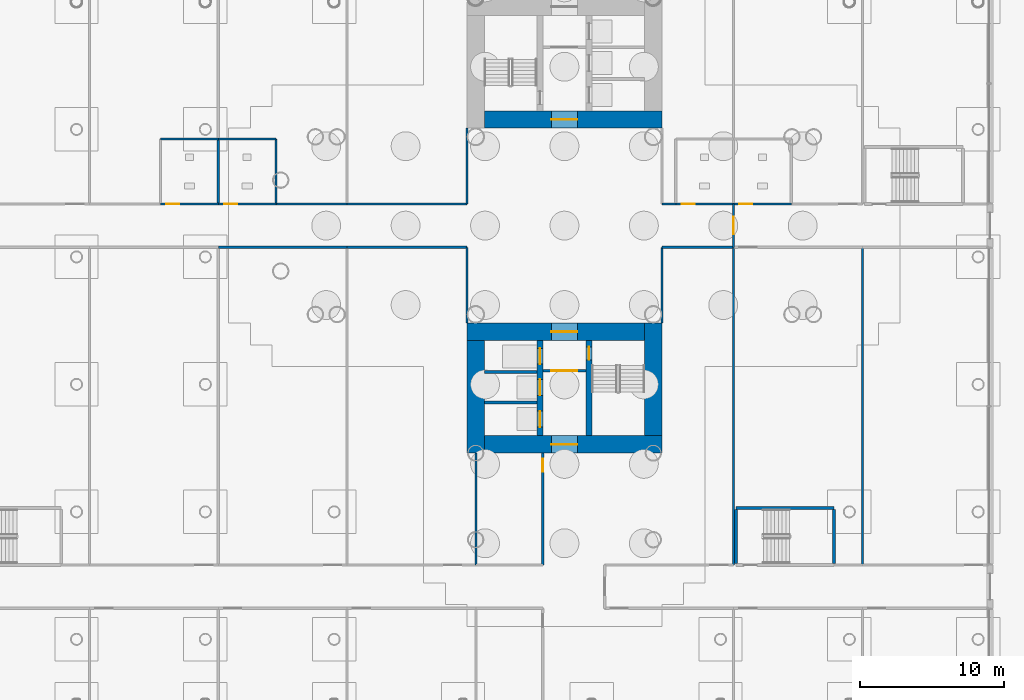
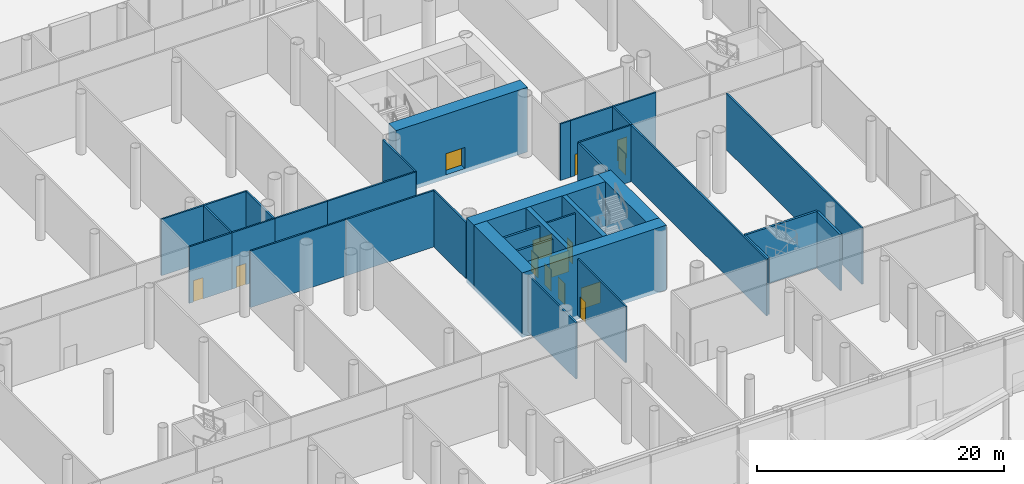
# One storey, part 32 of 75: 35 walls, 14 doors, 14 openings.
"""IFC4 building model written with IfcOpenShell, lengths in metres."""

from ifc_helpers import new_model, si_unit, direction, frame, frame_2d, origin, place, context, subcontext, project, spatial, rectangle, extrude, material, layer, layer_set, type_object, element, fill, save


model = new_model("IFC4")

# Units and contexts
model_context = context("Model", 3, precision=1e-05, world=origin(), true_north=direction((0.0, 1.0)))
body_context = subcontext(model_context, "Body", "Model", "MODEL_VIEW")
ifc_project = project(units=[si_unit("LENGTHUNIT", "METRE"), si_unit("AREAUNIT", "SQUARE_METRE"), si_unit("VOLUMEUNIT", "CUBIC_METRE"), si_unit("PLANEANGLEUNIT", "RADIAN"), si_unit("MASSUNIT", "GRAM", prefix="KILO")], contexts=[model_context])

# Site, building, storey
site_placement = place(None, origin())
site = spatial("IfcSite", under=ifc_project, at=site_placement, CompositionType="ELEMENT")
building_placement = place(site_placement, origin())
building = spatial("IfcBuilding", under=site, at=building_placement, Name="Ipe Terrace Towers", CompositionType="ELEMENT")
storey_placement = place(building_placement, origin())
storey = spatial("IfcBuildingStorey", under=building, at=storey_placement, Name="L00", CompositionType="ELEMENT", Elevation=0.0)

# Wall, opening, door
ifc_material_1 = material(Name="Gypsum board partition", Category="plasterboard")
ifc_layer_1 = layer(ifc_material_1, 0.14990234375)
ifc_layer_set_1 = layer_set([ifc_layer_1], Name="Gypsum board partition 150 mm")
wall_type_1 = type_object("IfcWallType", Name="Gypsum board partition 150 mm", PredefinedType="PARTITIONING", material=ifc_layer_set_1)
wall_1_placement = place(storey_placement, frame((34.5, -10.050048828125, 0.0), z_axis=(0.0, 0.0, 1.0), x_axis=(1.0, 0.0, 0.0)))
wall_1 = element("IfcWall", 1, at=wall_1_placement, inside=storey, type_object=wall_type_1, Name="Gypsum board partition T2 L00 t2c2-lobby-wall", PredefinedType="PARTITIONING", context=body_context, shape_type="SweptSolid", body=[
    extrude(rectangle(XDim=3.0, YDim=0.14990234375, at=frame_2d((1.5, 0.0))), origin(), (0.0, 0.0, 1.0), 5.580078125),
])
opening_1_placement = place(wall_1_placement, frame((0.60009765625, 0.0, 0.0)))
opening_1 = element("IfcOpeningElement", 2, at=opening_1_placement, cuts=wall_1, Name="Opening T2C2-VD", PredefinedType="OPENING", context=body_context, shape_type="SweptSolid", body=[
    extrude(rectangle(XDim=1.800048828125, YDim=2.10009765625, at=frame_2d((0.89990234375, 1.050048828125))), frame((0.0, 0.0849609375, 0.0), z_axis=(0.0, -1.0, 0.0), x_axis=(1.0, 0.0, 0.0)), (0.0, 0.0, 1.0), 0.169921875),
])
ifc_material_2 = material(Name="Fire-rated timber door leaf", Category="wood")
door_type_1 = type_object("IfcDoorType", Name="Lobby door 1800 x 2100 FD60", OperationType="NOTDEFINED", PredefinedType="DOOR", material=ifc_material_2)
door_1_placement = place(opening_1_placement, origin())
door_1 = element("IfcDoor", 3, at=door_1_placement, inside=storey, type_object=door_type_1, Name="Lobby door T2C2-VD", OperationType="SINGLE_SWING_LEFT", OverallHeight=2.10009765625, OverallWidth=1.800048828125, PredefinedType="DOOR", context=body_context, shape_type="SweptSolid", body=[
    extrude(rectangle(XDim=1.800048828125, YDim=2.10009765625, at=frame_2d((0.89990234375, 1.050048828125))), frame((0.0, 0.02490234375, 0.0), z_axis=(0.0, -1.0, 0.0), x_axis=(1.0, 0.0, 0.0)), (0.0, 0.0, 1.0), 0.050048828125),
])
fill(opening_1, door_1)

# Walls
wall_2_placement = place(storey_placement, frame((12.030029296875, -1.5, 0.0), z_axis=(0.0, 0.0, 1.0), x_axis=(1.0, 0.0, 0.0)))
element("IfcWall", 4, at=wall_2_placement, inside=storey, type_object=wall_type_1, Name="Gypsum board partition T2 L00 pd-r37-w23", PredefinedType="PARTITIONING", context=body_context, shape_type="SweptSolid", body=[
    extrude(rectangle(XDim=8.919921875, YDim=0.14990234375, at=frame_2d((4.4599609375, 0.0))), origin(), (0.0, 0.0, 1.0), 5.580078125),
])
wall_3_placement = place(storey_placement, frame((20.949951171875, 1.5, 0.0), z_axis=(0.0, 0.0, 1.0), x_axis=(-1.0, 0.0, 0.0)))
element("IfcWall", 5, at=wall_3_placement, inside=storey, type_object=wall_type_1, Name="Gypsum board partition T2 L00 pd-r39-w28", PredefinedType="PARTITIONING", context=body_context, shape_type="SweptSolid", body=[
    extrude(rectangle(XDim=4.919921875, YDim=0.14990234375, at=frame_2d((2.4599609375, 0.0))), origin(), (0.0, 0.0, 1.0), 5.580078125),
])
wall_4_placement = place(storey_placement, frame((29.25, -1.5, 0.0), z_axis=(0.0, 0.0, 1.0), x_axis=(0.0, -1.0, 0.0)))
element("IfcWall", 6, at=wall_4_placement, inside=storey, type_object=wall_type_1, Name="Gypsum board partition T2 L00 pd-r40-w30", PredefinedType="PARTITIONING", context=body_context, shape_type="SweptSolid", body=[
    extrude(rectangle(XDim=5.25, YDim=0.14990234375, at=frame_2d((2.625, 0.0))), origin(), (0.0, 0.0, 1.0), 5.580078125),
])
wall_5_placement = place(storey_placement, frame((20.949951171875, -1.5, 0.0), z_axis=(0.0, 0.0, 1.0), x_axis=(1.0, 0.0, 0.0)))
element("IfcWall", 7, at=wall_5_placement, inside=storey, type_object=wall_type_1, Name="Gypsum board partition T2 L00 pd-r40-w32", PredefinedType="PARTITIONING", context=body_context, shape_type="SweptSolid", body=[
    extrude(rectangle(XDim=8.300048828125, YDim=0.14990234375, at=frame_2d((4.14990234375, 0.0))), origin(), (0.0, 0.0, 1.0), 5.580078125),
])
wall_6_placement = place(storey_placement, frame((29.8701171875, -15.75, 0.0), z_axis=(0.0, 0.0, 1.0), x_axis=(0.0, -1.0, 0.0)))
element("IfcWall", 8, at=wall_6_placement, inside=storey, type_object=wall_type_1, Name="Gypsum board partition T2 L00 pd-r40-r45-w33", PredefinedType="PARTITIONING", context=body_context, shape_type="SweptSolid", body=[
    extrude(rectangle(XDim=7.75, YDim=0.14990234375, at=frame_2d((3.875, 0.0))), origin(), (0.0, 0.0, 1.0), 5.580078125),
])
wall_7_placement = place(storey_placement, frame((29.25, 6.75, 0.0), z_axis=(0.0, 0.0, 1.0), x_axis=(0.0, -1.0, 0.0)))
element("IfcWall", 9, at=wall_7_placement, inside=storey, type_object=wall_type_1, Name="Gypsum board partition T2 L00 pd-r41-w35", PredefinedType="PARTITIONING", context=body_context, shape_type="SweptSolid", body=[
    extrude(rectangle(XDim=5.25, YDim=0.14990234375, at=frame_2d((2.625, 0.0))), origin(), (0.0, 0.0, 1.0), 5.580078125),
])
wall_8_placement = place(storey_placement, frame((29.25, 1.5, 0.0), z_axis=(0.0, 0.0, 1.0), x_axis=(-1.0, 0.0, 0.0)))
element("IfcWall", 10, at=wall_8_placement, inside=storey, type_object=wall_type_1, Name="Gypsum board partition T2 L00 pd-r41-w36", PredefinedType="PARTITIONING", context=body_context, shape_type="SweptSolid", body=[
    extrude(rectangle(XDim=8.300048828125, YDim=0.14990234375, at=frame_2d((4.14990234375, 0.0))), origin(), (0.0, 0.0, 1.0), 5.580078125),
])

# Wall, opening, door
wall_9_placement = place(storey_placement, frame((34.5, -15.75, 0.0), z_axis=(0.0, 0.0, 1.0), x_axis=(0.0, -1.0, 0.0)))
wall_9 = element("IfcWall", 11, at=wall_9_placement, inside=storey, type_object=wall_type_1, Name="Gypsum board partition T2 L00 pd-r45-w43", PredefinedType="PARTITIONING", context=body_context, shape_type="SweptSolid", body=[
    extrude(rectangle(XDim=7.75, YDim=0.14990234375, at=frame_2d((3.875, 0.0))), origin(), (0.0, 0.0, 1.0), 5.580078125),
])
opening_2_placement = place(wall_9_placement, frame((0.39990234375, 0.0, 0.0)))
opening_2 = element("IfcOpeningElement", 12, at=opening_2_placement, cuts=wall_9, Name="Opening PD-L00-r45", PredefinedType="OPENING", context=body_context, shape_type="SweptSolid", body=[
    extrude(rectangle(XDim=0.89990234375, YDim=2.10009765625, at=frame_2d((0.449951171875, 1.050048828125))), frame((0.0, 0.0849609375, 0.0), z_axis=(0.0, -1.0, 0.0), x_axis=(1.0, 0.0, 0.0)), (0.0, 0.0, 1.0), 0.169921875),
])
ifc_material_3 = material(Name="Fire-rated timber door leaf", Category="wood")
door_type_2 = type_object("IfcDoorType", Name="Lounge door 900 x 2100 FD30S", OperationType="NOTDEFINED", PredefinedType="DOOR", material=ifc_material_3)
door_2_placement = place(opening_2_placement, origin())
door_2 = element("IfcDoor", 13, at=door_2_placement, inside=storey, type_object=door_type_2, Name="Lounge door PD-L00-r45", OperationType="SINGLE_SWING_RIGHT", OverallHeight=2.10009765625, OverallWidth=0.89990234375, PredefinedType="DOOR", context=body_context, shape_type="SweptSolid", body=[
    extrude(rectangle(XDim=0.89990234375, YDim=2.10009765625, at=frame_2d((0.449951171875, 1.050048828125))), frame((0.0, 0.02490234375, 0.0), z_axis=(0.0, -1.0, 0.0), x_axis=(1.0, 0.0, 0.0)), (0.0, 0.0, 1.0), 0.050048828125),
])
fill(opening_2, door_2)

# Walls
wall_10_placement = place(storey_placement, frame((43.7099609375, 1.5, 0.0), z_axis=(0.0, 0.0, 1.0), x_axis=(-1.0, 0.0, 0.0)))
element("IfcWall", 14, at=wall_10_placement, inside=storey, type_object=wall_type_1, Name="Gypsum board partition T2 L00 pd-r49-w51", PredefinedType="PARTITIONING", context=body_context, shape_type="SweptSolid", body=[
    extrude(rectangle(XDim=0.9599609375, YDim=0.14990234375, at=frame_2d((0.47998046875, 0.0))), origin(), (0.0, 0.0, 1.0), 5.580078125),
])
wall_11_placement = place(storey_placement, frame((42.75, -6.75, 0.0), z_axis=(0.0, 0.0, 1.0), x_axis=(0.0, 1.0, 0.0)))
element("IfcWall", 15, at=wall_11_placement, inside=storey, type_object=wall_type_1, Name="Gypsum board partition T2 L00 pd-r50-w55", PredefinedType="PARTITIONING", context=body_context, shape_type="SweptSolid", body=[
    extrude(rectangle(XDim=5.25, YDim=0.14990234375, at=frame_2d((2.625, 0.0))), origin(), (0.0, 0.0, 1.0), 5.580078125),
])
wall_12_placement = place(storey_placement, frame((42.75, -1.5, 0.0), z_axis=(0.0, 0.0, 1.0), x_axis=(1.0, 0.0, 0.0)))
element("IfcWall", 16, at=wall_12_placement, inside=storey, type_object=wall_type_1, Name="Gypsum board partition T2 L00 pd-r50-w56", PredefinedType="PARTITIONING", context=body_context, shape_type="SweptSolid", body=[
    extrude(rectangle(XDim=4.9599609375, YDim=0.14990234375, at=frame_2d((2.47998046875, 0.0))), origin(), (0.0, 0.0, 1.0), 5.580078125),
])
for number, where, z_axis, x_axis, name in (
    (17, (47.7099609375, -1.5, 0.0), (0.0, 0.0, 1.0), (0.0, -1.0, 0.0), "Gypsum board partition T2 L00 pd-r50-r53-w58"),
    (18, (56.6298828125, -1.5, 0.0), (0.0, 0.0, 1.0), (0.0, -1.0, 0.0), "Gypsum board partition T2 L00 pd-r53-r56-w65"),
):
    element("IfcWall", number, at=place(storey_placement, frame(where, z_axis=z_axis, x_axis=x_axis)), inside=storey, type_object=wall_type_1, Name=name, PredefinedType="PARTITIONING", context=body_context, shape_type="SweptSolid", body=[
        extrude(rectangle(XDim=22.0, YDim=0.14990234375, at=frame_2d((11.0, 0.0))), origin(), (0.0, 0.0, 1.0), 5.580078125),
    ])

# Wall, opening, door
wall_13_placement = place(storey_placement, frame((8.030029296875, 1.5, 0.0), z_axis=(0.0, 0.0, 1.0), x_axis=(1.0, 0.0, 0.0)))
wall_13 = element("IfcWall", 19, at=wall_13_placement, inside=storey, type_object=wall_type_1, Name="Gypsum board partition T2 L00 pd-c1-w75", PredefinedType="PARTITIONING", context=body_context, shape_type="SweptSolid", body=[
    extrude(rectangle(XDim=4.0, YDim=0.14990234375, at=frame_2d((2.0, 0.0))), origin(), (0.0, 0.0, 1.0), 5.580078125),
])
opening_3_placement = place(wall_13_placement, frame((0.39990234375, 0.0, 0.0)))
opening_3 = element("IfcOpeningElement", 20, at=opening_3_placement, cuts=wall_13, Name="Opening PD-L00-c1", PredefinedType="OPENING", context=body_context, shape_type="SweptSolid", body=[
    extrude(rectangle(XDim=0.89990234375, YDim=2.10009765625, at=frame_2d((0.449951171875, 1.050048828125))), frame((0.0, 0.0849609375, 0.0), z_axis=(0.0, -1.0, 0.0), x_axis=(1.0, 0.0, 0.0)), (0.0, 0.0, 1.0), 0.169921875),
])
door_3_placement = place(opening_3_placement, origin())
door_3 = element("IfcDoor", 21, at=door_3_placement, inside=storey, type_object=door_type_2, Name="Lounge door PD-L00-c1", OperationType="SINGLE_SWING_LEFT", OverallHeight=2.10009765625, OverallWidth=0.89990234375, PredefinedType="DOOR", context=body_context, shape_type="SweptSolid", body=[
    extrude(rectangle(XDim=0.89990234375, YDim=2.10009765625, at=frame_2d((0.449951171875, 1.050048828125))), frame((0.0, 0.02490234375, 0.0), z_axis=(0.0, -1.0, 0.0), x_axis=(1.0, 0.0, 0.0)), (0.0, 0.0, 1.0), 0.050048828125),
])
fill(opening_3, door_3)

# Walls
wall_14_placement = place(storey_placement, frame((12.030029296875, 6.0, 0.0), z_axis=(0.0, 0.0, 1.0), x_axis=(-1.0, 0.0, 0.0)))
element("IfcWall", 22, at=wall_14_placement, inside=storey, type_object=wall_type_1, Name="Gypsum board partition T2 L00 pd-c1-r32-w76", PredefinedType="PARTITIONING", context=body_context, shape_type="SweptSolid", body=[
    extrude(rectangle(XDim=4.0, YDim=0.14990234375, at=frame_2d((2.0, 0.0))), origin(), (0.0, 0.0, 1.0), 5.580078125),
])
wall_15_placement = place(storey_placement, frame((12.030029296875, 1.5, 0.0), z_axis=(0.0, 0.0, 1.0), x_axis=(0.0, 1.0, 0.0)))
element("IfcWall", 23, at=wall_15_placement, inside=storey, type_object=wall_type_1, Name="Gypsum board partition T2 L00 pd-c1-c2-w78", PredefinedType="PARTITIONING", context=body_context, shape_type="SweptSolid", body=[
    extrude(rectangle(XDim=4.5, YDim=0.14990234375, at=frame_2d((2.25, 0.0))), origin(), (0.0, 0.0, 1.0), 5.580078125),
])

# Wall, opening, door
wall_16_placement = place(storey_placement, frame((12.030029296875, 1.5, 0.0), z_axis=(0.0, 0.0, 1.0), x_axis=(1.0, 0.0, 0.0)))
wall_16 = element("IfcWall", 24, at=wall_16_placement, inside=storey, type_object=wall_type_1, Name="Gypsum board partition T2 L00 pd-c2-w79", PredefinedType="PARTITIONING", context=body_context, shape_type="SweptSolid", body=[
    extrude(rectangle(XDim=4.0, YDim=0.14990234375, at=frame_2d((2.0, 0.0))), origin(), (0.0, 0.0, 1.0), 5.580078125),
])
opening_4_placement = place(wall_16_placement, frame((0.39990234375, 0.0, 0.0)))
opening_4 = element("IfcOpeningElement", 25, at=opening_4_placement, cuts=wall_16, Name="Opening PD-L00-c2", PredefinedType="OPENING", context=body_context, shape_type="SweptSolid", body=[
    extrude(rectangle(XDim=0.89990234375, YDim=2.10009765625, at=frame_2d((0.449951171875, 1.050048828125))), frame((0.0, 0.0849609375, 0.0), z_axis=(0.0, -1.0, 0.0), x_axis=(1.0, 0.0, 0.0)), (0.0, 0.0, 1.0), 0.169921875),
])
door_4_placement = place(opening_4_placement, origin())
door_4 = element("IfcDoor", 26, at=door_4_placement, inside=storey, type_object=door_type_2, Name="Lounge door PD-L00-c2", OperationType="SINGLE_SWING_LEFT", OverallHeight=2.10009765625, OverallWidth=0.89990234375, PredefinedType="DOOR", context=body_context, shape_type="SweptSolid", body=[
    extrude(rectangle(XDim=0.89990234375, YDim=2.10009765625, at=frame_2d((0.449951171875, 1.050048828125))), frame((0.0, 0.02490234375, 0.0), z_axis=(0.0, -1.0, 0.0), x_axis=(1.0, 0.0, 0.0)), (0.0, 0.0, 1.0), 0.050048828125),
])
fill(opening_4, door_4)

# Walls
wall_17_placement = place(storey_placement, frame((16.030029296875, 1.5, 0.0), z_axis=(0.0, 0.0, 1.0), x_axis=(0.0, 1.0, 0.0)))
element("IfcWall", 27, at=wall_17_placement, inside=storey, type_object=wall_type_1, Name="Gypsum board partition T2 L00 pd-c2-r39-w80", PredefinedType="PARTITIONING", context=body_context, shape_type="SweptSolid", body=[
    extrude(rectangle(XDim=4.5, YDim=0.14990234375, at=frame_2d((2.25, 0.0))), origin(), (0.0, 0.0, 1.0), 5.580078125),
])
wall_18_placement = place(storey_placement, frame((16.030029296875, 6.0, 0.0), z_axis=(0.0, 0.0, 1.0), x_axis=(-1.0, 0.0, 0.0)))
element("IfcWall", 28, at=wall_18_placement, inside=storey, type_object=wall_type_1, Name="Gypsum board partition T2 L00 pd-c2-r39-w81", PredefinedType="PARTITIONING", context=body_context, shape_type="SweptSolid", body=[
    extrude(rectangle(XDim=4.0, YDim=0.14990234375, at=frame_2d((2.0, 0.0))), origin(), (0.0, 0.0, 1.0), 5.580078125),
])

# Wall, opening, door
wall_19_placement = place(storey_placement, frame((43.7099609375, 1.5, 0.0), z_axis=(0.0, 0.0, 1.0), x_axis=(1.0, 0.0, 0.0)))
wall_19 = element("IfcWall", 29, at=wall_19_placement, inside=storey, type_object=wall_type_1, Name="Gypsum board partition T2 L00 pd-c3-w82", PredefinedType="PARTITIONING", context=body_context, shape_type="SweptSolid", body=[
    extrude(rectangle(XDim=4.0, YDim=0.14990234375, at=frame_2d((2.0, 0.0))), origin(), (0.0, 0.0, 1.0), 5.580078125),
])
opening_5_placement = place(wall_19_placement, frame((0.39990234375, 0.0, 0.0)))
opening_5 = element("IfcOpeningElement", 30, at=opening_5_placement, cuts=wall_19, Name="Opening PD-L00-c3", PredefinedType="OPENING", context=body_context, shape_type="SweptSolid", body=[
    extrude(rectangle(XDim=0.89990234375, YDim=2.10009765625, at=frame_2d((0.449951171875, 1.050048828125))), frame((0.0, 0.0849609375, 0.0), z_axis=(0.0, -1.0, 0.0), x_axis=(1.0, 0.0, 0.0)), (0.0, 0.0, 1.0), 0.169921875),
])
door_5_placement = place(opening_5_placement, origin())
door_5 = element("IfcDoor", 31, at=door_5_placement, inside=storey, type_object=door_type_2, Name="Lounge door PD-L00-c3", OperationType="SINGLE_SWING_LEFT", OverallHeight=2.10009765625, OverallWidth=0.89990234375, PredefinedType="DOOR", context=body_context, shape_type="SweptSolid", body=[
    extrude(rectangle(XDim=0.89990234375, YDim=2.10009765625, at=frame_2d((0.449951171875, 1.050048828125))), frame((0.0, 0.02490234375, 0.0), z_axis=(0.0, -1.0, 0.0), x_axis=(1.0, 0.0, 0.0)), (0.0, 0.0, 1.0), 0.050048828125),
])
fill(opening_5, door_5)

wall_20_placement = place(storey_placement, frame((47.7099609375, 1.5, 0.0), z_axis=(0.0, 0.0, 1.0), x_axis=(1.0, 0.0, 0.0)))
wall_20 = element("IfcWall", 32, at=wall_20_placement, inside=storey, type_object=wall_type_1, Name="Gypsum board partition T2 L00 pd-c4-w86", PredefinedType="PARTITIONING", context=body_context, shape_type="SweptSolid", body=[
    extrude(rectangle(XDim=4.0, YDim=0.14990234375, at=frame_2d((2.0, 0.0))), origin(), (0.0, 0.0, 1.0), 5.580078125),
])
opening_6_placement = place(wall_20_placement, frame((0.39990234375, 0.0, 0.0)))
opening_6 = element("IfcOpeningElement", 33, at=opening_6_placement, cuts=wall_20, Name="Opening PD-L00-c4", PredefinedType="OPENING", context=body_context, shape_type="SweptSolid", body=[
    extrude(rectangle(XDim=0.89990234375, YDim=2.10009765625, at=frame_2d((0.449951171875, 1.050048828125))), frame((0.0, 0.0849609375, 0.0), z_axis=(0.0, -1.0, 0.0), x_axis=(1.0, 0.0, 0.0)), (0.0, 0.0, 1.0), 0.169921875),
])
door_6_placement = place(opening_6_placement, origin())
door_6 = element("IfcDoor", 34, at=door_6_placement, inside=storey, type_object=door_type_2, Name="Lounge door PD-L00-c4", OperationType="SINGLE_SWING_LEFT", OverallHeight=2.10009765625, OverallWidth=0.89990234375, PredefinedType="DOOR", context=body_context, shape_type="SweptSolid", body=[
    extrude(rectangle(XDim=0.89990234375, YDim=2.10009765625, at=frame_2d((0.449951171875, 1.050048828125))), frame((0.0, 0.02490234375, 0.0), z_axis=(0.0, -1.0, 0.0), x_axis=(1.0, 0.0, 0.0)), (0.0, 0.0, 1.0), 0.050048828125),
])
fill(opening_6, door_6)

wall_21_placement = place(storey_placement, frame((47.7099609375, -1.5, 0.0), z_axis=(0.0, 0.0, 1.0), x_axis=(0.0, 1.0, 0.0)))
wall_21 = element("IfcWall", 35, at=wall_21_placement, inside=storey, type_object=wall_type_1, Name="Gypsum board partition T2 L00 pd-xp8", PredefinedType="PARTITIONING", context=body_context, shape_type="SweptSolid", body=[
    extrude(rectangle(XDim=3.0, YDim=0.14990234375, at=frame_2d((1.5, 0.0))), origin(), (0.0, 0.0, 1.0), 5.580078125),
])
opening_7_placement = place(wall_21_placement, frame((0.89990234375, 0.0, 0.0)))
opening_7 = element("IfcOpeningElement", 36, at=opening_7_placement, cuts=wall_21, Name="Opening PD-L00-XP8", PredefinedType="OPENING", context=body_context, shape_type="SweptSolid", body=[
    extrude(rectangle(XDim=1.199951171875, YDim=2.10009765625, at=frame_2d((0.60009765625, 1.050048828125))), frame((0.0, 0.0849609375, 0.0), z_axis=(0.0, -1.0, 0.0), x_axis=(1.0, 0.0, 0.0)), (0.0, 0.0, 1.0), 0.169921875),
])
ifc_material_4 = material(Name="Fire-rated timber door leaf", Category="wood")
door_type_3 = type_object("IfcDoorType", Name="Fire door 1200 x 2100 FD60", OperationType="NOTDEFINED", PredefinedType="DOOR", material=ifc_material_4)
door_7_placement = place(opening_7_placement, origin())
door_7 = element("IfcDoor", 37, at=door_7_placement, inside=storey, type_object=door_type_3, Name="Fire door PD-L00-XP8", OperationType="SINGLE_SWING_LEFT", OverallHeight=2.10009765625, OverallWidth=1.199951171875, PredefinedType="DOOR", context=body_context, shape_type="SweptSolid", body=[
    extrude(rectangle(XDim=1.199951171875, YDim=2.10009765625, at=frame_2d((0.60009765625, 1.050048828125))), frame((0.0, 0.02490234375, 0.0), z_axis=(0.0, -1.0, 0.0), x_axis=(1.0, 0.0, 0.0)), (0.0, 0.0, 1.0), 0.050048828125),
])
fill(opening_7, door_7)

# Walls
ifc_material_5 = material(Name="Gypsum board party wall", Category="plasterboard")
ifc_layer_2 = layer(ifc_material_5, 0.199951171875)
ifc_layer_set_2 = layer_set([ifc_layer_2], Name="Gypsum board party wall 200 mm")
wall_type_2 = type_object("IfcWallType", Name="Gypsum board party wall 200 mm", PredefinedType="SOLIDWALL", material=ifc_layer_set_2)
for number, where, z_axis, x_axis, name in (
    (38, (30.449951171875, -10.14990234375, 0.0), (0.0, 0.0, 1.0), (1.0, 0.0, 0.0), "Gypsum board party wall T2 L00 t2c2-shaft-div1"),
    (39, (30.449951171875, -12.25, 0.0), (0.0, 0.0, 1.0), (1.0, 0.0, 0.0), "Gypsum board party wall T2 L00 t2c2-shaft-div2"),
):
    element("IfcWall", number, at=place(storey_placement, frame(where, z_axis=z_axis, x_axis=x_axis)), inside=storey, type_object=wall_type_2, Name=name, PredefinedType="SOLIDWALL", context=body_context, shape_type="SweptSolid", body=[
        extrude(rectangle(XDim=3.650146484375, YDim=0.199951171875, at=frame_2d((1.8251953125, 0.0))), origin(), (0.0, 0.0, 1.0), 5.580078125),
    ])

# Wall, opening, door
ifc_material_6 = material(Name="Concrete C60/75", Category="concrete")
ifc_layer_3 = layer(ifc_material_6, 1.199951171875)
ifc_layer_set_3 = layer_set([ifc_layer_3], Name="RW1200 CORE WALL 1200 C60-75")
wall_type_3 = type_object("IfcWallType", Name="RW1200 CORE WALL 1200 C60-75", PredefinedType="SHEAR", material=ifc_layer_set_3)
wall_22_placement = place(storey_placement, frame((30.449951171875, 7.35009765625, -0.39990234375), z_axis=(0.0, 0.0, 1.0), x_axis=(1.0, 0.0, 0.0)))
wall_22 = element("IfcWall", 40, at=wall_22_placement, inside=storey, type_object=wall_type_3, Name="Core wall T2-C1-P-W01", PredefinedType="SHEAR", context=body_context, shape_type="SweptSolid", body=[
    extrude(rectangle(XDim=12.300048828125, YDim=1.199951171875, at=frame_2d((6.14990234375, 0.0))), origin(), (0.0, 0.0, 1.0), 6.39990234375),
])
opening_8_placement = place(wall_22_placement, frame((4.64990234375, 0.0, 0.39990234375)))
opening_8 = element("IfcOpeningElement", 41, at=opening_8_placement, cuts=wall_22, Name="Opening T2C1-ND", PredefinedType="OPENING", context=body_context, shape_type="SweptSolid", body=[
    extrude(rectangle(XDim=1.800048828125, YDim=2.10009765625, at=frame_2d((0.89990234375, 1.050048828125))), frame((0.0, 0.60986328125, 0.0), z_axis=(0.0, -1.0, 0.0), x_axis=(1.0, 0.0, 0.0)), (0.0, 0.0, 1.0), 1.219970703125),
])
ifc_material_7 = material(Name="Fire-rated timber door leaf", Category="wood")
door_type_4 = type_object("IfcDoorType", Name="Fire door 1800 x 2100 FD30S", OperationType="NOTDEFINED", PredefinedType="DOOR", material=ifc_material_7)
door_8_placement = place(opening_8_placement, origin())
door_8 = element("IfcDoor", 42, at=door_8_placement, inside=storey, type_object=door_type_4, Name="Fire door T2C1-ND", OperationType="SINGLE_SWING_LEFT", OverallHeight=2.10009765625, OverallWidth=1.800048828125, PredefinedType="DOOR", context=body_context, shape_type="SweptSolid", body=[
    extrude(rectangle(XDim=1.800048828125, YDim=2.10009765625, at=frame_2d((0.89990234375, 1.050048828125))), frame((0.0, 0.02490234375, 0.0), z_axis=(0.0, -1.0, 0.0), x_axis=(1.0, 0.0, 0.0)), (0.0, 0.0, 1.0), 0.050048828125),
])
fill(opening_8, door_8)

wall_23_placement = place(storey_placement, frame((30.449951171875, -15.14990234375, -0.39990234375), z_axis=(0.0, 0.0, 1.0), x_axis=(1.0, 0.0, 0.0)))
wall_23 = element("IfcWall", 43, at=wall_23_placement, inside=storey, type_object=wall_type_3, Name="Core wall T2-C2-P-W01", PredefinedType="SHEAR", context=body_context, shape_type="SweptSolid", body=[
    extrude(rectangle(XDim=12.300048828125, YDim=1.199951171875, at=frame_2d((6.14990234375, 0.0))), origin(), (0.0, 0.0, 1.0), 6.39990234375),
])
opening_9_placement = place(wall_23_placement, frame((4.64990234375, 0.0, 0.39990234375)))
opening_9 = element("IfcOpeningElement", 44, at=opening_9_placement, cuts=wall_23, Name="Opening T2C2-FD", PredefinedType="OPENING", context=body_context, shape_type="SweptSolid", body=[
    extrude(rectangle(XDim=1.800048828125, YDim=2.10009765625, at=frame_2d((0.89990234375, 1.050048828125))), frame((0.0, 0.60986328125, 0.0), z_axis=(0.0, -1.0, 0.0), x_axis=(1.0, 0.0, 0.0)), (0.0, 0.0, 1.0), 1.219970703125),
])
door_9_placement = place(opening_9_placement, origin())
door_9 = element("IfcDoor", 45, at=door_9_placement, inside=storey, type_object=door_type_4, Name="Fire door T2C2-FD", OperationType="SINGLE_SWING_LEFT", OverallHeight=2.10009765625, OverallWidth=1.800048828125, PredefinedType="DOOR", context=body_context, shape_type="SweptSolid", body=[
    extrude(rectangle(XDim=1.800048828125, YDim=2.10009765625, at=frame_2d((0.89990234375, 1.050048828125))), frame((0.0, 0.02490234375, 0.0), z_axis=(0.0, -1.0, 0.0), x_axis=(1.0, 0.0, 0.0)), (0.0, 0.0, 1.0), 0.050048828125),
])
fill(opening_9, door_9)

# Wall
wall_24_placement = place(storey_placement, frame((42.14990234375, -14.550048828125, -0.39990234375), z_axis=(0.0, 0.0, 1.0), x_axis=(0.0, 1.0, 0.0)))
element("IfcWall", 46, at=wall_24_placement, inside=storey, type_object=wall_type_3, Name="Core wall T2-C2-P-W02", PredefinedType="SHEAR", context=body_context, shape_type="SweptSolid", body=[
    extrude(rectangle(XDim=7.800048828125, YDim=1.199951171875, at=frame_2d((3.89990234375, 0.0))), origin(), (0.0, 0.0, 1.0), 6.39990234375),
])

# Wall, opening, door
wall_25_placement = place(storey_placement, frame((41.550048828125, -7.35009765625, -0.39990234375), z_axis=(0.0, 0.0, 1.0), x_axis=(-1.0, 0.0, 0.0)))
wall_25 = element("IfcWall", 47, at=wall_25_placement, inside=storey, type_object=wall_type_3, Name="Core wall T2-C2-P-W03", PredefinedType="SHEAR", context=body_context, shape_type="SweptSolid", body=[
    extrude(rectangle(XDim=12.300048828125, YDim=1.199951171875, at=frame_2d((6.14990234375, 0.0))), origin(), (0.0, 0.0, 1.0), 6.39990234375),
])
opening_10_placement = place(wall_25_placement, frame((4.64990234375, 0.0, 0.39990234375)))
opening_10 = element("IfcOpeningElement", 48, at=opening_10_placement, cuts=wall_25, Name="Opening T2C2-ND", PredefinedType="OPENING", context=body_context, shape_type="SweptSolid", body=[
    extrude(rectangle(XDim=1.800048828125, YDim=2.10009765625, at=frame_2d((0.89990234375, 1.050048828125))), frame((0.0, 0.60986328125, 0.0), z_axis=(0.0, -1.0, 0.0), x_axis=(1.0, 0.0, 0.0)), (0.0, 0.0, 1.0), 1.219970703125),
])
door_10_placement = place(opening_10_placement, origin())
door_10 = element("IfcDoor", 49, at=door_10_placement, inside=storey, type_object=door_type_4, Name="Fire door T2C2-ND", OperationType="SINGLE_SWING_LEFT", OverallHeight=2.10009765625, OverallWidth=1.800048828125, PredefinedType="DOOR", context=body_context, shape_type="SweptSolid", body=[
    extrude(rectangle(XDim=1.800048828125, YDim=2.10009765625, at=frame_2d((0.89990234375, 1.050048828125))), frame((0.0, 0.02490234375, 0.0), z_axis=(0.0, -1.0, 0.0), x_axis=(1.0, 0.0, 0.0)), (0.0, 0.0, 1.0), 0.050048828125),
])
fill(opening_10, door_10)

# Walls
wall_26_placement = place(storey_placement, frame((29.85009765625, -7.949951171875, -0.39990234375), z_axis=(0.0, 0.0, 1.0), x_axis=(0.0, -1.0, 0.0)))
element("IfcWall", 50, at=wall_26_placement, inside=storey, type_object=wall_type_3, Name="Core wall T2-C2-P-W04", PredefinedType="SHEAR", context=body_context, shape_type="SweptSolid", body=[
    extrude(rectangle(XDim=7.800048828125, YDim=1.199951171875, at=frame_2d((3.89990234375, 0.0))), origin(), (0.0, 0.0, 1.0), 6.39990234375),
])
ifc_material_8 = material(Name="Concrete C40/50", Category="concrete")
ifc_layer_4 = layer(ifc_material_8, 0.199951171875)
ifc_layer_set_4 = layer_set([ifc_layer_4], Name="RW200 PODIUM STAIR SHAFT WALL 200 C40-50")
wall_type_4 = type_object("IfcWallType", Name="RW200 PODIUM STAIR SHAFT WALL 200 C40-50", PredefinedType="SHEAR", material=ifc_layer_set_4)
wall_27_placement = place(storey_placement, frame((47.8701171875, -19.550048828125, 0.0), z_axis=(0.0, 0.0, 1.0), x_axis=(1.0, 0.0, 0.0)))
element("IfcWall", 51, at=wall_27_placement, inside=storey, type_object=wall_type_4, Name="Stair shaft wall T2 L00 ps6-f", PredefinedType="SHEAR", context=body_context, shape_type="SweptSolid", body=[
    extrude(rectangle(XDim=6.7998046875, YDim=0.199951171875, at=frame_2d((3.39990234375, 0.0))), origin(), (0.0, 0.0, 1.0), 5.580078125),
])
for number, where, z_axis, x_axis, name in (
    (52, (47.8701171875, -23.39990234375, 0.0), (0.0, 0.0, 1.0), (0.0, 1.0, 0.0), "Stair shaft wall T2 L00 ps6-w"),
    (53, (54.669921875, -23.39990234375, 0.0), (0.0, 0.0, 1.0), (0.0, 1.0, 0.0), "Stair shaft wall T2 L00 ps6-e"),
):
    element("IfcWall", number, at=place(storey_placement, frame(where, z_axis=z_axis, x_axis=x_axis)), inside=storey, type_object=wall_type_4, Name=name, PredefinedType="SHEAR", context=body_context, shape_type="SweptSolid", body=[
        extrude(rectangle(XDim=3.75, YDim=0.199951171875, at=frame_2d((1.875, 0.0))), origin(), (0.0, 0.0, 1.0), 5.580078125),
    ])

# Wall, openings, doors
ifc_material_9 = material(Name="Concrete C60/75", Category="concrete")
ifc_layer_5 = layer(ifc_material_9, 0.39990234375)
ifc_layer_set_5 = layer_set([ifc_layer_5], Name="RW400 CORE SPINE WALL 400 C60-75")
wall_type_5 = type_object("IfcWallType", Name="RW400 CORE SPINE WALL 400 C60-75", PredefinedType="SHEAR", material=ifc_layer_set_5)
wall_28_placement = place(storey_placement, frame((34.300048828125, -14.550048828125, -0.39990234375), z_axis=(0.0, 0.0, 1.0), x_axis=(0.0, 1.0, 0.0)))
wall_28 = element("IfcWall", 54, at=wall_28_placement, inside=storey, type_object=wall_type_5, Name="Core spine wall T2-C2-P-SW1", PredefinedType="SHEAR", context=body_context, shape_type="SweptSolid", body=[
    extrude(rectangle(XDim=6.60009765625, YDim=0.39990234375, at=frame_2d((3.300048828125, 0.0))), origin(), (0.0, 0.0, 1.0), 6.39990234375),
])
opening_11_placement = place(wall_28_placement, frame((4.949951171875, 0.0, 0.39990234375)))
opening_11 = element("IfcOpeningElement", 55, at=opening_11_placement, cuts=wall_28, Name="Opening T2C2-LD1", PredefinedType="OPENING", context=body_context, shape_type="SweptSolid", body=[
    extrude(rectangle(XDim=1.10009765625, YDim=2.10009765625, at=frame_2d((0.550048828125, 1.050048828125))), frame((0.0, 0.2099609375, 0.0), z_axis=(0.0, -1.0, 0.0), x_axis=(1.0, 0.0, 0.0)), (0.0, 0.0, 1.0), 0.419921875),
])
opening_12_placement = place(wall_28_placement, frame((2.800048828125, 0.0, 0.39990234375)))
opening_12 = element("IfcOpeningElement", 56, at=opening_12_placement, cuts=wall_28, Name="Opening T2C2-LD2", PredefinedType="OPENING", context=body_context, shape_type="SweptSolid", body=[
    extrude(rectangle(XDim=1.10009765625, YDim=2.10009765625, at=frame_2d((0.550048828125, 1.050048828125))), frame((0.0, 0.2099609375, 0.0), z_axis=(0.0, -1.0, 0.0), x_axis=(1.0, 0.0, 0.0)), (0.0, 0.0, 1.0), 0.419921875),
])
opening_13_placement = place(wall_28_placement, frame((0.60009765625, 0.0, 0.39990234375)))
opening_13 = element("IfcOpeningElement", 57, at=opening_13_placement, cuts=wall_28, Name="Opening T2C2-LD3", PredefinedType="OPENING", context=body_context, shape_type="SweptSolid", body=[
    extrude(rectangle(XDim=1.10009765625, YDim=2.10009765625, at=frame_2d((0.550048828125, 1.050048828125))), frame((0.0, 0.2099609375, 0.0), z_axis=(0.0, -1.0, 0.0), x_axis=(1.0, 0.0, 0.0)), (0.0, 0.0, 1.0), 0.419921875),
])
ifc_material_10 = material(Name="Fire-rated timber door leaf", Category="wood")
door_type_5 = type_object("IfcDoorType", Name="Sliding door 1100 x 2100 FD60", OperationType="SLIDING_TO_LEFT", PredefinedType="DOOR", material=ifc_material_10)
door_11_placement = place(opening_11_placement, origin())
door_11 = element("IfcDoor", 58, at=door_11_placement, inside=storey, type_object=door_type_5, Name="Sliding door T2C2-LD1", OperationType="SLIDING_TO_LEFT", OverallHeight=2.10009765625, OverallWidth=1.10009765625, PredefinedType="DOOR", context=body_context, shape_type="SweptSolid", body=[
    extrude(rectangle(XDim=1.10009765625, YDim=2.10009765625, at=frame_2d((0.550048828125, 1.050048828125))), frame((0.0, 0.02490234375, 0.0), z_axis=(0.0, -1.0, 0.0), x_axis=(1.0, 0.0, 0.0)), (0.0, 0.0, 1.0), 0.050048828125),
])
fill(opening_11, door_11)
door_12_placement = place(opening_12_placement, origin())
door_12 = element("IfcDoor", 59, at=door_12_placement, inside=storey, type_object=door_type_5, Name="Sliding door T2C2-LD2", OperationType="SLIDING_TO_LEFT", OverallHeight=2.10009765625, OverallWidth=1.10009765625, PredefinedType="DOOR", context=body_context, shape_type="SweptSolid", body=[
    extrude(rectangle(XDim=1.10009765625, YDim=2.10009765625, at=frame_2d((0.550048828125, 1.050048828125))), frame((0.0, 0.02490234375, 0.0), z_axis=(0.0, -1.0, 0.0), x_axis=(1.0, 0.0, 0.0)), (0.0, 0.0, 1.0), 0.050048828125),
])
fill(opening_12, door_12)
door_13_placement = place(opening_13_placement, origin())
door_13 = element("IfcDoor", 60, at=door_13_placement, inside=storey, type_object=door_type_5, Name="Sliding door T2C2-LD3", OperationType="SLIDING_TO_LEFT", OverallHeight=2.10009765625, OverallWidth=1.10009765625, PredefinedType="DOOR", context=body_context, shape_type="SweptSolid", body=[
    extrude(rectangle(XDim=1.10009765625, YDim=2.10009765625, at=frame_2d((0.550048828125, 1.050048828125))), frame((0.0, 0.02490234375, 0.0), z_axis=(0.0, -1.0, 0.0), x_axis=(1.0, 0.0, 0.0)), (0.0, 0.0, 1.0), 0.050048828125),
])
fill(opening_13, door_13)

# Wall, opening, door
wall_29_placement = place(storey_placement, frame((37.699951171875, -14.550048828125, -0.39990234375), z_axis=(0.0, 0.0, 1.0), x_axis=(0.0, 1.0, 0.0)))
wall_29 = element("IfcWall", 61, at=wall_29_placement, inside=storey, type_object=wall_type_5, Name="Core spine wall T2-C2-P-SW2", PredefinedType="SHEAR", context=body_context, shape_type="SweptSolid", body=[
    extrude(rectangle(XDim=6.60009765625, YDim=0.39990234375, at=frame_2d((3.300048828125, 0.0))), origin(), (0.0, 0.0, 1.0), 6.39990234375),
])
opening_14_placement = place(wall_29_placement, frame((5.25, 0.0, 0.39990234375)))
opening_14 = element("IfcOpeningElement", 62, at=opening_14_placement, cuts=wall_29, Name="Opening T2C2-SD", PredefinedType="OPENING", context=body_context, shape_type="SweptSolid", body=[
    extrude(rectangle(XDim=0.89990234375, YDim=2.10009765625, at=frame_2d((0.449951171875, 1.050048828125))), frame((0.0, 0.2099609375, 0.0), z_axis=(0.0, -1.0, 0.0), x_axis=(1.0, 0.0, 0.0)), (0.0, 0.0, 1.0), 0.419921875),
])
ifc_material_11 = material(Name="Fire-rated timber door leaf", Category="wood")
door_type_6 = type_object("IfcDoorType", Name="Stair door 900 x 2100 FD60", OperationType="NOTDEFINED", PredefinedType="DOOR", material=ifc_material_11)
door_14_placement = place(opening_14_placement, origin())
door_14 = element("IfcDoor", 63, at=door_14_placement, inside=storey, type_object=door_type_6, Name="Stair door T2C2-SD", OperationType="SINGLE_SWING_RIGHT", OverallHeight=2.10009765625, OverallWidth=0.89990234375, PredefinedType="DOOR", context=body_context, shape_type="SweptSolid", body=[
    extrude(rectangle(XDim=0.89990234375, YDim=2.10009765625, at=frame_2d((0.449951171875, 1.050048828125))), frame((0.0, 0.02490234375, 0.0), z_axis=(0.0, -1.0, 0.0), x_axis=(1.0, 0.0, 0.0)), (0.0, 0.0, 1.0), 0.050048828125),
])
fill(opening_14, door_14)

save(model, "model.ifc")
